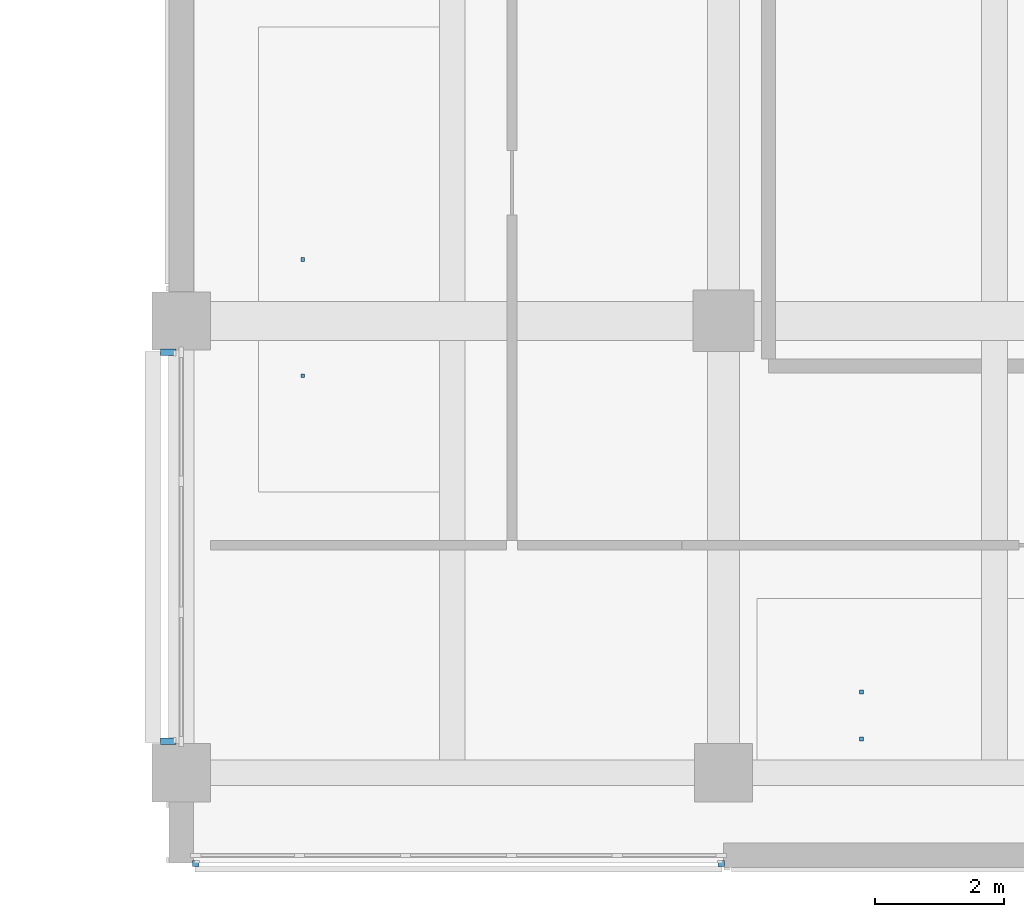
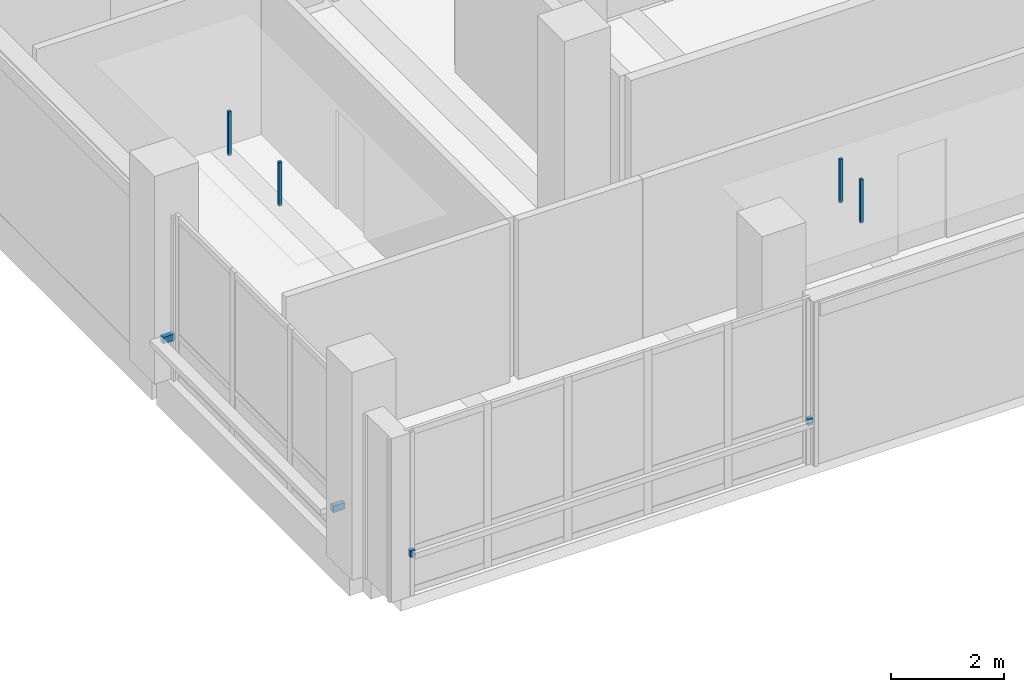
# One storey, part 26 of 59: 8 discrete accessories.
"""IFC4 building model written with IfcOpenShell, lengths in metres."""

from ifc_helpers import new_model, si_unit, direction, frame, origin, origin_2d, place, context, subcontext, project, spatial, rectangle, extrude, material, type_object, element, save


model = new_model("IFC4")

# Units and contexts
model_context = context("Model", 3, precision=1e-05, world=origin(), true_north=direction((0.0, 1.0)))
body_context = subcontext(model_context, "Body", "Model", "MODEL_VIEW")
ifc_project = project(units=[si_unit("LENGTHUNIT", "METRE"), si_unit("AREAUNIT", "SQUARE_METRE"), si_unit("VOLUMEUNIT", "CUBIC_METRE"), si_unit("PLANEANGLEUNIT", "RADIAN"), si_unit("MASSUNIT", "GRAM", prefix="KILO")], contexts=[model_context])

# Site, building, storey
site_placement = place(None, origin())
site = spatial("IfcSite", under=ifc_project, at=site_placement, CompositionType="ELEMENT")
building_placement = place(site_placement, origin())
building = spatial("IfcBuilding", under=site, at=building_placement, Name="Telukmera Botanical Conservatory", CompositionType="ELEMENT")
storey_placement = place(building_placement, frame((0.0, 0.0, 15.0)))
storey = spatial("IfcBuildingStorey", under=building, at=storey_placement, Name="L03", CompositionType="ELEMENT", Elevation=15.0)

# Discrete accessories
ifc_material = material(Name="Steel S355", Category="steel")
discrete_accessory_type_1 = type_object("IfcDiscreteAccessoryType", Name="ACC-CEIL-HGR", PredefinedType="BRACKET", material=ifc_material)
for number, where, z_axis, x_axis, name in (
    (1, (52.281982421875, 16.75, 3.31005859375), (0.0, 0.0, 1.0), (1.0, 0.0, 0.0), "L03 Suspended Ceiling Hanger Rod 036-1"),
    (2, (52.281982421875, 18.550048828125, 3.31005859375), (0.0, 0.0, 1.0), (1.0, 0.0, 0.0), "L03 Suspended Ceiling Hanger Rod 036-2"),
):
    element("IfcDiscreteAccessory", number, at=place(storey_placement, frame(where, z_axis=z_axis, x_axis=x_axis)), inside=storey, type_object=discrete_accessory_type_1, Name=name, PredefinedType="BRACKET", context=body_context, shape_type="SweptSolid", body=[
        extrude(rectangle(XDim=0.06005859375, YDim=0.06005859375, at=origin_2d()), origin(), (0.0, 0.0, 1.0), 0.945068359375),
    ])
for number, where, z_axis, x_axis, name in (
    (3, (60.939208984375, 11.125, 3.320068359375), (0.0, 0.0, 1.0), (1.0, 0.0, 0.0), "L03 Suspended Ceiling Hanger Rod 039-1"),
    (4, (60.939208984375, 11.85009765625, 3.320068359375), (0.0, 0.0, 1.0), (1.0, 0.0, 0.0), "L03 Suspended Ceiling Hanger Rod 039-2"),
):
    element("IfcDiscreteAccessory", number, at=place(storey_placement, frame(where, z_axis=z_axis, x_axis=x_axis)), inside=storey, type_object=discrete_accessory_type_1, Name=name, PredefinedType="BRACKET", context=body_context, shape_type="SweptSolid", body=[
        extrude(rectangle(XDim=0.06005859375, YDim=0.06005859375, at=origin_2d()), origin(), (0.0, 0.0, 1.0), 0.93505859375),
    ])
discrete_accessory_type_2 = type_object("IfcDiscreteAccessoryType", Name="Structural Steel Facade Outrigger Fin Bracket", PredefinedType="BRACKET", material=ifc_material)
for number, where, z_axis, x_axis, name in (
    (5, (50.62451171875, 9.195068359375, 0.8798828125), (0.0, 0.0, 1.0), (1.0, 0.0, 0.0), "Facade Outrigger Bracket V4:L03:S1 A"),
    (6, (58.765380859375, 9.195068359375, 0.8798828125), (0.0, 0.0, 1.0), (1.0, 0.0, 0.0), "Facade Outrigger Bracket V4:L03:S1 B"),
):
    element("IfcDiscreteAccessory", number, at=place(storey_placement, frame(where, z_axis=z_axis, x_axis=x_axis)), inside=storey, type_object=discrete_accessory_type_2, Name=name, PredefinedType="BRACKET", context=body_context, shape_type="SweptSolid", body=[
        extrude(rectangle(XDim=0.10009765625, YDim=0.090087890625, at=origin_2d()), origin(), (0.0, 0.0, 1.0), 0.139892578125),
    ])
for number, where, z_axis, x_axis, name in (
    (7, (50.199951171875, 11.08447265625, 0.8798828125), (0.0, 0.0, 1.0), (0.0, 1.0, 0.0), "Facade Outrigger Bracket V4:L03:W1 A"),
    (8, (50.199951171875, 17.115478515625, 0.8798828125), (0.0, 0.0, 1.0), (0.0, 1.0, 0.0), "Facade Outrigger Bracket V4:L03:W1 B"),
):
    element("IfcDiscreteAccessory", number, at=place(storey_placement, frame(where, z_axis=z_axis, x_axis=x_axis)), inside=storey, type_object=discrete_accessory_type_2, Name=name, PredefinedType="BRACKET", context=body_context, shape_type="SweptSolid", body=[
        extrude(rectangle(XDim=0.10009765625, YDim=0.239990234375, at=origin_2d()), origin(), (0.0, 0.0, 1.0), 0.139892578125),
    ])

save(model, "model.ifc")
